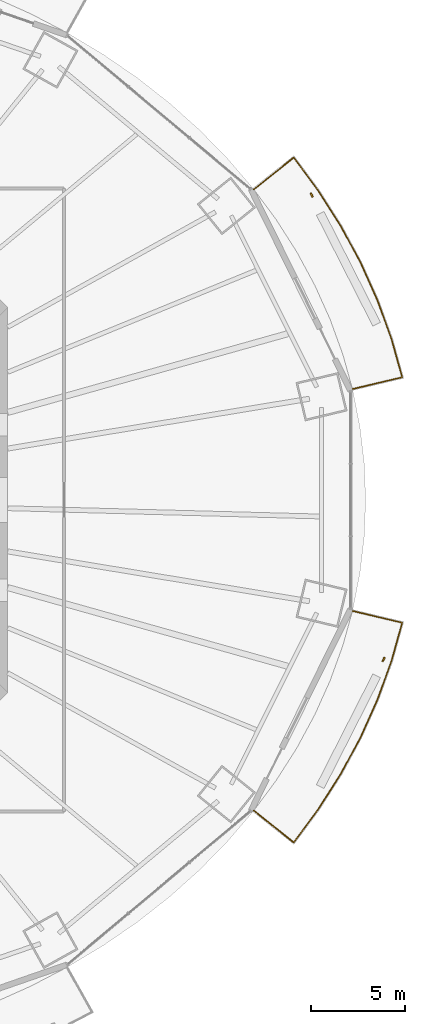
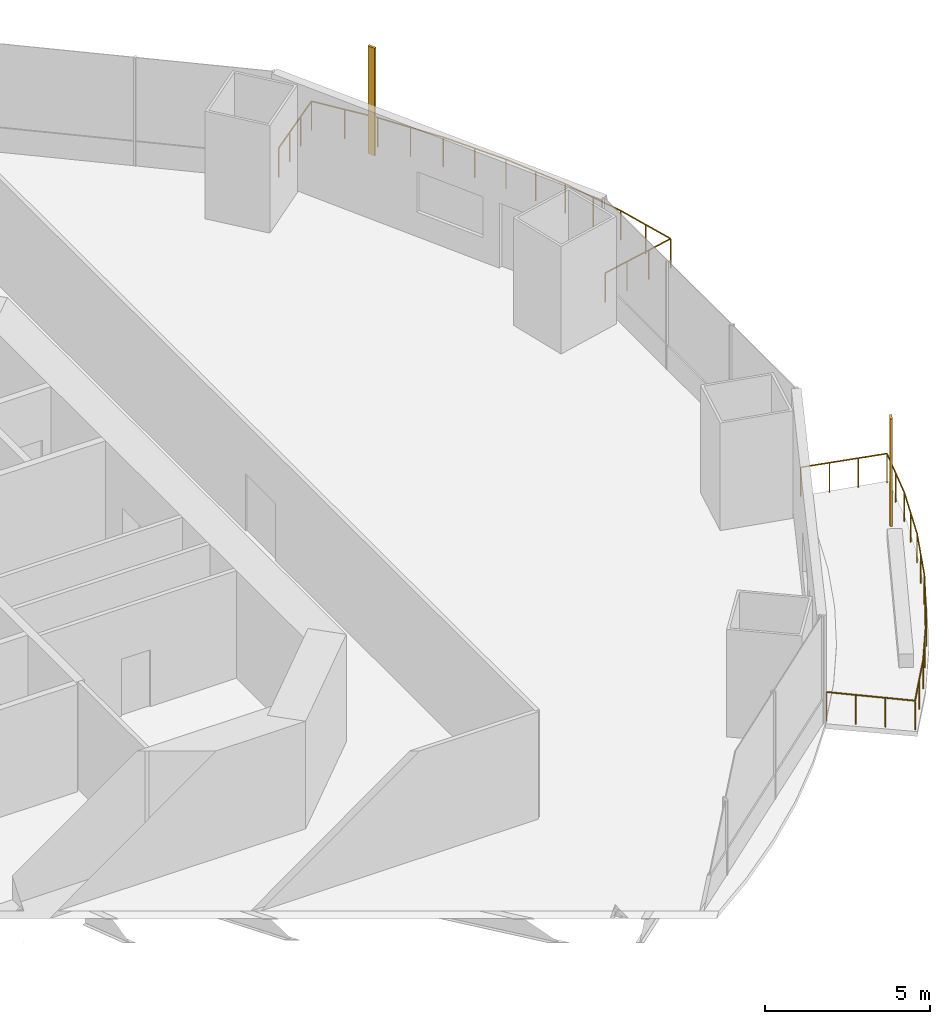
# One storey, part 21 of 22: 2 railings, 2 shading devices.
"""IFC4 building model written with IfcOpenShell, lengths in metres."""

from ifc_helpers import new_model, si_unit, direction, frame, origin, origin_2d, place, context, subcontext, project, spatial, rectangle, circle, extrude, material, material_profile, profile_set, type_object, element, save


model = new_model("IFC4")

# Units and contexts
model_context = context("Model", 3, precision=1e-05, world=origin(), true_north=direction((0.0, 1.0)))
body_context = subcontext(model_context, "Body", "Model", "MODEL_VIEW")
ifc_project = project(units=[si_unit("LENGTHUNIT", "METRE"), si_unit("AREAUNIT", "SQUARE_METRE"), si_unit("VOLUMEUNIT", "CUBIC_METRE"), si_unit("PLANEANGLEUNIT", "RADIAN"), si_unit("MASSUNIT", "GRAM", prefix="KILO")], contexts=[model_context])

# Site, building, storey
site_placement = place(None, origin())
site = spatial("IfcSite", under=ifc_project, at=site_placement, CompositionType="ELEMENT")
building_placement = place(site_placement, origin())
building = spatial("IfcBuilding", under=site, at=building_placement, Name="Marenthal Gate Tower", CompositionType="ELEMENT")
storey_placement = place(building_placement, frame((0.0, 0.0, 74.5)))
storey = spatial("IfcBuildingStorey", under=building, at=storey_placement, Name="L14", CompositionType="ELEMENT", Elevation=74.5)

# Railings
ifc_material_1 = material(Name="Stainless steel", Category="steel")
railing_type = type_object("IfcRailingType", Name="Balcony guard 1100", PredefinedType="GUARDRAIL", material=ifc_material_1)
railing_1_placement = place(storey_placement, frame((29.7109375, 16.55126953125, 0.0)))
element("IfcRailing", 1, at=railing_1_placement, inside=storey, type_object=railing_type, Name="Balcony guard L14 bay 1", PredefinedType="GUARDRAIL", context=body_context, shape_type="SweptSolid", body=[
    extrude(circle(Radius=0.02392578125, at=origin_2d()), frame((0.0, 0.0, 1.076171875), z_axis=(0.782139521654, 0.622929480184, -0.014718402932), x_axis=(-0.622996964186, 0.782224253405, 0.0)), (0.0, 0.0, 1.0), 2.720458984375),
    extrude(circle(Radius=0.02392578125, at=origin_2d()), frame((2.127685546875, 1.694580078125, 1.0361328125), z_axis=(0.594680833833, -0.803961880857, 0.0), x_axis=(0.803961880857, 0.594680833833, 0.0)), (0.0, 0.0, 1.0), 2.17919921875),
    extrude(circle(Radius=0.02392578125, at=origin_2d()), frame((3.423583984375, -0.057373046875, 1.0361328125), z_axis=(0.53758735843, -0.843208059767, 0.0), x_axis=(0.843208059767, 0.53758735843, 0.0)), (0.0, 0.0, 1.0), 2.24072265625),
    extrude(circle(Radius=0.02392578125, at=origin_2d()), frame((4.628173828125, -1.94677734375, 1.0361328125), z_axis=(0.475441262736, -0.879747466997, 0.0), x_axis=(0.879747466997, 0.475441262736, 0.0)), (0.0, 0.0, 1.0), 2.223876953125),
    extrude(circle(Radius=0.02392578125, at=origin_2d()), frame((5.685546875, -3.9033203125, 1.0361328125), z_axis=(0.409519083019, -0.912301551376, 0.0), x_axis=(0.912301551376, 0.409519083019, 0.0)), (0.0, 0.0, 1.0), 2.20947265625),
    extrude(circle(Radius=0.02392578125, at=origin_2d()), frame((6.59033203125, -5.9189453125, 1.0361328125), z_axis=(0.340269936614, -0.940327799353, 0.0), x_axis=(0.940327799353, 0.340269936614, 0.0)), (0.0, 0.0, 1.0), 2.1962890625),
    extrude(circle(Radius=0.02392578125, at=origin_2d()), frame((7.337646484375, -7.984130859375, 1.0361328125), z_axis=(0.26934176956, -0.963044656893, 0.0), x_axis=(0.963044656893, 0.26934176956, 0.0)), (0.0, 0.0, 1.0), 2.105712890625),
    extrude(circle(Radius=0.02392578125, at=origin_2d()), frame((7.90478515625, -10.011962890625, 1.0361328125), z_axis=(-0.972921871805, -0.230665056323, 0.014719482193), x_axis=(0.230690048693, -0.973027287096, 0.0)), (0.0, 0.0, 1.0), 2.72021484375),
    extrude(circle(Radius=0.02099609375, at=origin_2d()), origin(), (0.0, 0.0, 1.0), 1.052001953125),
    extrude(circle(Radius=0.02099609375, at=origin_2d()), frame((0.709228515625, 0.56494140625, -0.013427734375)), (0.0, 0.0, 1.0), 1.052001953125),
    extrude(circle(Radius=0.02099609375, at=origin_2d()), frame((1.41845703125, 1.129638671875, -0.026611328125)), (0.0, 0.0, 1.0), 1.052001953125),
    extrude(circle(Radius=0.02099609375, at=origin_2d()), frame((2.127685546875, 1.694580078125, -0.0400390625)), (0.0, 0.0, 1.0), 1.052001953125),
    extrude(circle(Radius=0.02099609375, at=origin_2d()), frame((2.775634765625, 0.818603515625, -0.0400390625)), (0.0, 0.0, 1.0), 1.052001953125),
    extrude(circle(Radius=0.02099609375, at=origin_2d()), frame((3.423583984375, -0.057373046875, -0.0400390625)), (0.0, 0.0, 1.0), 1.052001953125),
    extrude(circle(Radius=0.02099609375, at=origin_2d()), frame((4.02587890625, -1.001953125, -0.0400390625)), (0.0, 0.0, 1.0), 1.052001953125),
    extrude(circle(Radius=0.02099609375, at=origin_2d()), frame((4.628173828125, -1.94677734375, -0.0400390625)), (0.0, 0.0, 1.0), 1.052001953125),
    extrude(circle(Radius=0.02099609375, at=origin_2d()), frame((5.15673828125, -2.925048828125, -0.0400390625)), (0.0, 0.0, 1.0), 1.052001953125),
    extrude(circle(Radius=0.02099609375, at=origin_2d()), frame((5.685546875, -3.9033203125, -0.0400390625)), (0.0, 0.0, 1.0), 1.052001953125),
    extrude(circle(Radius=0.02099609375, at=origin_2d()), frame((6.137939453125, -4.9111328125, -0.0400390625)), (0.0, 0.0, 1.0), 1.052001953125),
    extrude(circle(Radius=0.02099609375, at=origin_2d()), frame((6.59033203125, -5.9189453125, -0.0400390625)), (0.0, 0.0, 1.0), 1.052001953125),
    extrude(circle(Radius=0.02099609375, at=origin_2d()), frame((6.9638671875, -6.95166015625, -0.0400390625)), (0.0, 0.0, 1.0), 1.052001953125),
    extrude(circle(Radius=0.02099609375, at=origin_2d()), frame((7.337646484375, -7.984130859375, -0.0400390625)), (0.0, 0.0, 1.0), 1.052001953125),
    extrude(circle(Radius=0.02099609375, at=origin_2d()), frame((7.62109375, -8.998046875, -0.0400390625)), (0.0, 0.0, 1.0), 1.052001953125),
    extrude(circle(Radius=0.02099609375, at=origin_2d()), frame((7.90478515625, -10.011962890625, -0.0400390625)), (0.0, 0.0, 1.0), 1.052001953125),
    extrude(circle(Radius=0.02099609375, at=origin_2d()), frame((7.022705078125, -10.22119140625, -0.026611328125)), (0.0, 0.0, 1.0), 1.052001953125),
    extrude(circle(Radius=0.02099609375, at=origin_2d()), frame((6.140380859375, -10.43017578125, -0.013427734375)), (0.0, 0.0, 1.0), 1.052001953125),
    extrude(circle(Radius=0.02099609375, at=origin_2d()), frame((5.25830078125, -10.639404296875, 0.0)), (0.0, 0.0, 1.0), 1.052001953125),
])
railing_2_placement = place(storey_placement, frame((34.96923828125, -5.911865234375, 0.0)))
element("IfcRailing", 2, at=railing_2_placement, inside=storey, type_object=railing_type, Name="Balcony guard L14 bay 15", PredefinedType="GUARDRAIL", context=body_context, shape_type="SweptSolid", body=[
    extrude(circle(Radius=0.02392578125, at=origin_2d()), frame((0.0, 0.0, 1.076171875), z_axis=(0.972921871805, -0.230665056323, -0.014719482193), x_axis=(0.230690048693, 0.973027287096, 0.0)), (0.0, 0.0, 1.0), 2.72021484375),
    extrude(circle(Radius=0.02392578125, at=origin_2d()), frame((2.646484375, -0.62744140625, 1.0361328125), z_axis=(-0.26934176956, -0.963044656893, 0.0), x_axis=(0.963044656893, -0.26934176956, 0.0)), (0.0, 0.0, 1.0), 2.105712890625),
    extrude(circle(Radius=0.02392578125, at=origin_2d()), frame((2.079345703125, -2.6552734375, 1.0361328125), z_axis=(-0.340269936614, -0.940327799353, 0.0), x_axis=(0.940327799353, -0.340269936614, 0.0)), (0.0, 0.0, 1.0), 2.1962890625),
    extrude(circle(Radius=0.02392578125, at=origin_2d()), frame((1.33203125, -4.720458984375, 1.0361328125), z_axis=(-0.409519083019, -0.912301551376, 0.0), x_axis=(0.912301551376, -0.409519083019, 0.0)), (0.0, 0.0, 1.0), 2.20947265625),
    extrude(circle(Radius=0.02392578125, at=origin_2d()), frame((0.42724609375, -6.736083984375, 1.0361328125), z_axis=(-0.475441262736, -0.879747466997, 0.0), x_axis=(0.879747466997, -0.475441262736, 0.0)), (0.0, 0.0, 1.0), 2.223876953125),
    extrude(circle(Radius=0.02392578125, at=origin_2d()), frame((-0.630126953125, -8.692626953125, 1.0361328125), z_axis=(-0.53758735843, -0.843208059767, 0.0), x_axis=(0.843208059767, -0.53758735843, 0.0)), (0.0, 0.0, 1.0), 2.24072265625),
    extrude(circle(Radius=0.02392578125, at=origin_2d()), frame((-1.834716796875, -10.58203125, 1.0361328125), z_axis=(-0.594680833833, -0.803961880857, 0.0), x_axis=(0.803961880857, -0.594680833833, 0.0)), (0.0, 0.0, 1.0), 2.17919921875),
    extrude(circle(Radius=0.02392578125, at=origin_2d()), frame((-3.130615234375, -12.333984375, 1.0361328125), z_axis=(-0.782139521654, 0.622929480184, 0.014718402932), x_axis=(-0.622996964186, -0.782224253405, 0.0)), (0.0, 0.0, 1.0), 2.720458984375),
    extrude(circle(Radius=0.02099609375, at=origin_2d()), origin(), (0.0, 0.0, 1.0), 1.052001953125),
    extrude(circle(Radius=0.02099609375, at=origin_2d()), frame((0.882080078125, -0.209228515625, -0.013427734375)), (0.0, 0.0, 1.0), 1.052001953125),
    extrude(circle(Radius=0.02099609375, at=origin_2d()), frame((1.764404296875, -0.418212890625, -0.026611328125)), (0.0, 0.0, 1.0), 1.052001953125),
    extrude(circle(Radius=0.02099609375, at=origin_2d()), frame((2.646484375, -0.62744140625, -0.0400390625)), (0.0, 0.0, 1.0), 1.052001953125),
    extrude(circle(Radius=0.02099609375, at=origin_2d()), frame((2.36279296875, -1.641357421875, -0.0400390625)), (0.0, 0.0, 1.0), 1.052001953125),
    extrude(circle(Radius=0.02099609375, at=origin_2d()), frame((2.079345703125, -2.6552734375, -0.0400390625)), (0.0, 0.0, 1.0), 1.052001953125),
    extrude(circle(Radius=0.02099609375, at=origin_2d()), frame((1.70556640625, -3.68798828125, -0.0400390625)), (0.0, 0.0, 1.0), 1.052001953125),
    extrude(circle(Radius=0.02099609375, at=origin_2d()), frame((1.33203125, -4.720458984375, -0.0400390625)), (0.0, 0.0, 1.0), 1.052001953125),
    extrude(circle(Radius=0.02099609375, at=origin_2d()), frame((0.879638671875, -5.728271484375, -0.0400390625)), (0.0, 0.0, 1.0), 1.052001953125),
    extrude(circle(Radius=0.02099609375, at=origin_2d()), frame((0.42724609375, -6.736083984375, -0.0400390625)), (0.0, 0.0, 1.0), 1.052001953125),
    extrude(circle(Radius=0.02099609375, at=origin_2d()), frame((-0.1015625, -7.71435546875, -0.0400390625)), (0.0, 0.0, 1.0), 1.052001953125),
    extrude(circle(Radius=0.02099609375, at=origin_2d()), frame((-0.630126953125, -8.692626953125, -0.0400390625)), (0.0, 0.0, 1.0), 1.052001953125),
    extrude(circle(Radius=0.02099609375, at=origin_2d()), frame((-1.232421875, -9.63720703125, -0.0400390625)), (0.0, 0.0, 1.0), 1.052001953125),
    extrude(circle(Radius=0.02099609375, at=origin_2d()), frame((-1.834716796875, -10.58203125, -0.0400390625)), (0.0, 0.0, 1.0), 1.052001953125),
    extrude(circle(Radius=0.02099609375, at=origin_2d()), frame((-2.482666015625, -11.4580078125, -0.0400390625)), (0.0, 0.0, 1.0), 1.052001953125),
    extrude(circle(Radius=0.02099609375, at=origin_2d()), frame((-3.130615234375, -12.333984375, -0.0400390625)), (0.0, 0.0, 1.0), 1.052001953125),
    extrude(circle(Radius=0.02099609375, at=origin_2d()), frame((-3.83984375, -11.76904296875, -0.026611328125)), (0.0, 0.0, 1.0), 1.052001953125),
    extrude(circle(Radius=0.02099609375, at=origin_2d()), frame((-4.549072265625, -11.204345703125, -0.013427734375)), (0.0, 0.0, 1.0), 1.052001953125),
    extrude(circle(Radius=0.02099609375, at=origin_2d()), frame((-5.25830078125, -10.639404296875, 0.0)), (0.0, 0.0, 1.0), 1.052001953125),
])

# Shading devices
ifc_material_2 = material(Name="Terracotta", Category="masonry")
ifc_material_profile = material_profile(ifc_material_2, rectangle(XDim=0.25, YDim=0.080078125, at=origin_2d()), Name="Terracotta baguette 250x80")
ifc_profile_set = profile_set([ifc_material_profile], Name="Terracotta")
shading_device_type = type_object("IfcShadingDeviceType", Name="Terracotta BAGUETTE SCREEN 250x80", PredefinedType="USERDEFINED", material=ifc_profile_set)
for number, where, z_axis, x_axis, name in (
    (3, (32.795166015625, 16.2470703125, -0.0400390625), (0.0, 0.0, 1.0), (-0.44293870584, 0.896551896361, 0.0), "Terracotta BAGUETTE L14 bay 1R"),
    (4, (36.624755859375, -8.495361328125, -0.0400390625), (0.0, 0.0, 1.0), (0.44293870584, 0.896551896361, 0.0), "Terracotta BAGUETTE L14 bay 15R"),
):
    element("IfcShadingDevice", number, at=place(storey_placement, frame(where, z_axis=z_axis, x_axis=x_axis)), inside=storey, type_object=shading_device_type, Name=name, ObjectType="BAGUETTE SCREEN", PredefinedType="USERDEFINED", context=body_context, shape_type="SweptSolid", body=[
        extrude(rectangle(XDim=0.25, YDim=0.080078125, at=origin_2d()), origin(), (0.0, 0.0, 1.0), 3.969970703125),
    ])

save(model, "model.ifc")
